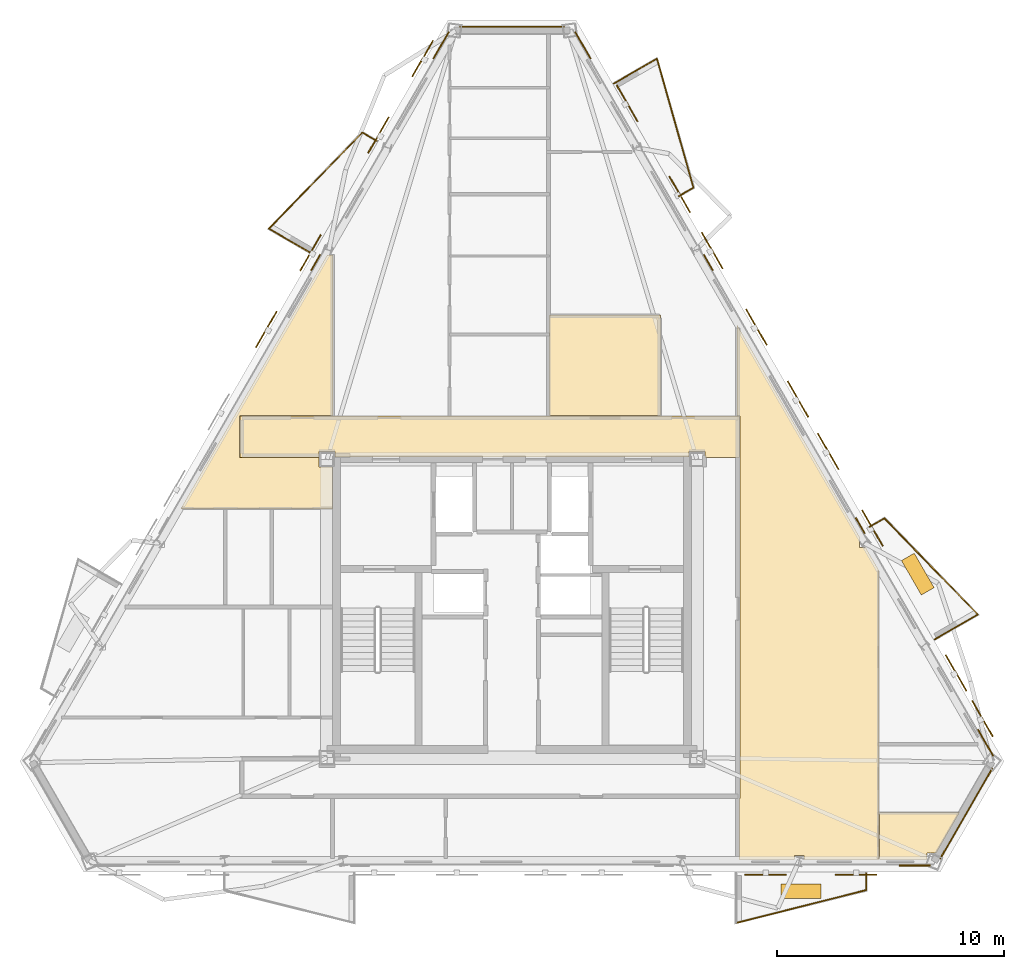
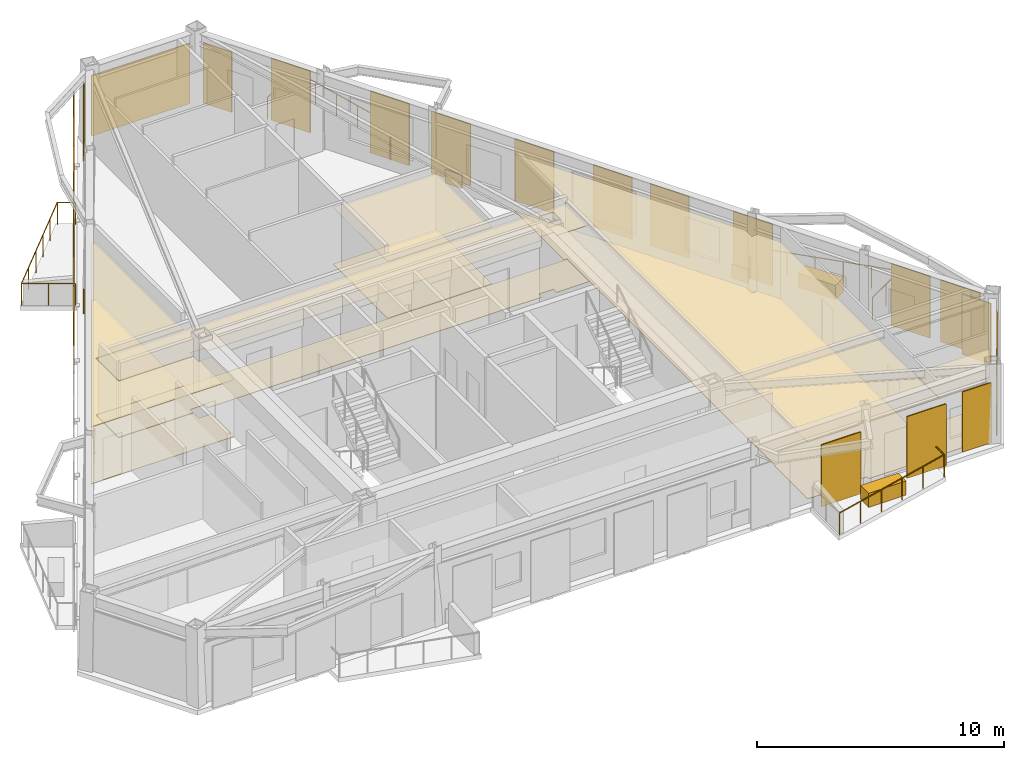
# One storey, part 9 of 9: 21 coverings, 15 shading devices, 11 railings.
"""IFC4 building model written with IfcOpenShell, lengths in metres."""

from ifc_helpers import new_model, si_unit, direction, frame, origin, origin_2d, place, context, subcontext, project, spatial, polyline, rectangle, circle, outline, extrude, material, layer, layer_set, type_object, element, save


model = new_model("IFC4")

# Units and contexts
model_context = context("Model", 3, precision=1e-05, world=origin(), true_north=direction((0.0, 1.0)))
body_context = subcontext(model_context, "Body", "Model", "MODEL_VIEW")
ifc_project = project(units=[si_unit("LENGTHUNIT", "METRE"), si_unit("AREAUNIT", "SQUARE_METRE"), si_unit("VOLUMEUNIT", "CUBIC_METRE"), si_unit("PLANEANGLEUNIT", "RADIAN"), si_unit("MASSUNIT", "GRAM", prefix="KILO")], contexts=[model_context])

# Site, building, storey
site_placement = place(None, origin())
site = spatial("IfcSite", under=ifc_project, at=site_placement, CompositionType="ELEMENT")
building_placement = place(site_placement, origin())
building = spatial("IfcBuilding", under=site, at=building_placement, Name="Oramaril Tower", CompositionType="ELEMENT")
storey_placement = place(building_placement, frame((0.0, 0.0, 261.60009765625)))
storey = spatial("IfcBuildingStorey", under=building, at=storey_placement, Name="L69", CompositionType="ELEMENT", Elevation=261.60009765625)

# Coverings
ifc_material_1 = material(Name="Mineral Fibre Acoustic Ceiling")
ifc_layer_1 = layer(ifc_material_1, 0.02001953125)
ifc_layer_set_1 = layer_set([ifc_layer_1], Name="CVT-CEIL")
covering_type_1 = type_object("IfcCoveringType", Name="CVT-CEIL", PredefinedType="CEILING", material=ifc_layer_set_1)
covering_1_placement = place(storey_placement, frame((0.0, 0.0, 2.81201171875)))
element("IfcCovering", 1, at=covering_1_placement, inside=storey, type_object=covering_type_1, Name="L69 Acoustic Suspended Ceiling 2", PredefinedType="CEILING", context=body_context, shape_type="SweptSolid", body=[
    extrude(outline(polyline([(47.530029296875, 24.239990234375), (45.9951171875, 24.239990234375), (45.9951171875, 24.4951171875), (45.304931640625, 24.4951171875), (45.304931640625, 24.25), (29.695068359375, 24.25), (29.695068359375, 24.4951171875), (29.0048828125, 24.4951171875), (29.0048828125, 24.239990234375), (25.52001953125, 24.239990234375), (25.52001953125, 26.050048828125), (47.530029296875, 26.050048828125), (47.530029296875, 24.239990234375)])), origin(), (0.0, 0.0, 1.0), 0.019775390625),
])
covering_2_placement = place(storey_placement, frame((0.0, 0.0, 2.81201171875)))
element("IfcCovering", 2, at=covering_2_placement, inside=storey, type_object=covering_type_1, Name="L69 Acoustic Suspended Ceiling 4", PredefinedType="CEILING", context=body_context, shape_type="SweptSolid", body=[
    extrude(outline(polyline([(44.0419921875, 30.511962890625), (44.0419921875, 26.070068359375), (39.157958984375, 26.070068359375), (39.157958984375, 30.511962890625), (44.0419921875, 30.511962890625)])), origin(), (0.0, 0.0, 1.0), 0.019775390625),
])
covering_3_placement = place(storey_placement, frame((0.0, 0.0, 2.81201171875)))
element("IfcCovering", 3, at=covering_3_placement, inside=storey, type_object=covering_type_1, Name="L69 Acoustic Suspended Ceiling 11", PredefinedType="CEILING", context=body_context, shape_type="SweptSolid", body=[
    extrude(outline(polyline([(29.0048828125, 23.804931640625), (29.60009765625, 23.804931640625), (29.60009765625, 21.9580078125), (22.894775390625, 21.9580078125), (29.36083984375, 33.15771484375), (29.6220703125, 33.15771484375), (29.6220703125, 26.070068359375), (25.52001953125, 26.070068359375), (25.51806640625, 26.06982421875), (25.51611328125, 26.069580078125), (25.51416015625, 26.069091796875), (25.51220703125, 26.068603515625), (25.510498046875, 26.067626953125), (25.5087890625, 26.066650390625), (25.50732421875, 26.0654296875), (25.505859375, 26.064208984375), (25.50439453125, 26.062744140625), (25.50341796875, 26.06103515625), (25.50244140625, 26.059326171875), (25.50146484375, 26.0576171875), (25.5009765625, 26.055908203125), (25.50048828125, 26.053955078125), (25.5, 26.052001953125), (25.5, 26.050048828125), (25.5, 24.239990234375), (25.5, 24.238037109375), (25.50048828125, 24.236083984375), (25.5009765625, 24.234130859375), (25.50146484375, 24.232421875), (25.50244140625, 24.230712890625), (25.50341796875, 24.22900390625), (25.50439453125, 24.227294921875), (25.505859375, 24.225830078125), (25.50732421875, 24.224609375), (25.5087890625, 24.223388671875), (25.510498046875, 24.222412109375), (25.51220703125, 24.221435546875), (25.51416015625, 24.220947265625), (25.51611328125, 24.220458984375), (25.51806640625, 24.22021484375), (25.52001953125, 24.219970703125), (29.0048828125, 24.219970703125), (29.0048828125, 23.804931640625)])), origin(), (0.0, 0.0, 1.0), 0.019775390625),
])
covering_4_placement = place(storey_placement, frame((0.0, 0.0, 2.81201171875)))
element("IfcCovering", 4, at=covering_4_placement, inside=storey, type_object=covering_type_1, Name="L69 Acoustic Suspended Ceiling 15", PredefinedType="CEILING", context=body_context, shape_type="SweptSolid", body=[
    extrude(outline(polyline([(52.828125, 20.7060546875), (52.818115234375, 20.7060546875), (52.818115234375, 20.25439453125), (53.0888671875, 20.25439453125), (53.668212890625, 19.251220703125), (53.668212890625, 6.5224609375), (50.370849609375, 6.5224609375), (50.370849609375, 6.681396484375), (49.94140625, 6.681396484375), (49.94140625, 6.5224609375), (47.511962890625, 6.5224609375), (47.511962890625, 9.199951171875), (47.530029296875, 9.199951171875), (47.531982421875, 9.2001953125), (47.533935546875, 9.200439453125), (47.535888671875, 9.200927734375), (47.53759765625, 9.201416015625), (47.539306640625, 9.202392578125), (47.541015625, 9.203369140625), (47.542724609375, 9.20458984375), (47.544189453125, 9.205810546875), (47.54541015625, 9.207275390625), (47.546630859375, 9.208984375), (47.547607421875, 9.210693359375), (47.548583984375, 9.21240234375), (47.549072265625, 9.214111328125), (47.549560546875, 9.216064453125), (47.5498046875, 9.218017578125), (47.550048828125, 9.219970703125), (47.550048828125, 11.030029296875), (47.5498046875, 11.031982421875), (47.549560546875, 11.033935546875), (47.549072265625, 11.035888671875), (47.548583984375, 11.03759765625), (47.547607421875, 11.039306640625), (47.54736328125, 11.0400390625), (47.547607421875, 11.04052734375), (47.548583984375, 11.042236328125), (47.549072265625, 11.044189453125), (47.549560546875, 11.046142578125), (47.5498046875, 11.048095703125), (47.550048828125, 11.050048828125), (47.550048828125, 24.219970703125), (47.5498046875, 24.221923828125), (47.549560546875, 24.223876953125), (47.549072265625, 24.225830078125), (47.548583984375, 24.227783203125), (47.547607421875, 24.2294921875), (47.54736328125, 24.22998046875), (47.547607421875, 24.230712890625), (47.548583984375, 24.232421875), (47.549072265625, 24.234130859375), (47.549560546875, 24.236083984375), (47.5498046875, 24.238037109375), (47.550048828125, 24.239990234375), (47.550048828125, 26.050048828125), (47.5498046875, 26.052001953125), (47.549560546875, 26.053955078125), (47.549072265625, 26.055908203125), (47.548583984375, 26.0576171875), (47.547607421875, 26.059326171875), (47.546630859375, 26.06103515625), (47.54541015625, 26.062744140625), (47.544189453125, 26.064208984375), (47.542724609375, 26.0654296875), (47.541015625, 26.066650390625), (47.539306640625, 26.067626953125), (47.53759765625, 26.068603515625), (47.535888671875, 26.069091796875), (47.533935546875, 26.069580078125), (47.531982421875, 26.06982421875), (47.530029296875, 26.070068359375), (47.407958984375, 26.070068359375), (47.407958984375, 30.093994140625), (52.828125, 20.7060546875)])), origin(), (0.0, 0.0, 1.0), 0.019775390625),
])
covering_5_placement = place(storey_placement, frame((0.0, 0.0, 2.81201171875)))
element("IfcCovering", 5, at=covering_5_placement, inside=storey, type_object=covering_type_1, Name="L69 Acoustic Suspended Ceiling 16", PredefinedType="CEILING", context=body_context, shape_type="SweptSolid", body=[
    extrude(outline(polyline([(56.195068359375, 6.794921875), (55.780029296875, 6.794921875), (55.780029296875, 6.5224609375), (53.68798828125, 6.5224609375), (53.68798828125, 8.593994140625), (57.233642578125, 8.593994140625), (56.195068359375, 6.794921875)])), origin(), (0.0, 0.0, 1.0), 0.019775390625),
])
ifc_material_2 = material(Name="Warm Cream Limestone", Category="masonry")
ifc_layer_2 = layer(ifc_material_2, 0.050048828125)
ifc_layer_set_2 = layer_set([ifc_layer_2], Name="CVT-CLD")
covering_type_2 = type_object("IfcCoveringType", Name="CVT-CLD", PredefinedType="CLADDING", material=ifc_layer_set_2)
covering_6_placement = place(storey_placement, frame((55.25, 6.246337890625, 0.039794921875), z_axis=(0.0, 0.0, 1.0), x_axis=(1.0, 0.0, 0.0)))
element("IfcCovering", 6, at=covering_6_placement, inside=storey, type_object=covering_type_2, Name="L69 Warm Cream Limestone Cladding", PredefinedType="CLADDING", context=body_context, shape_type="SweptSolid", body=[
    extrude(rectangle(XDim=1.35009765625, YDim=0.050048828125, at=origin_2d()), origin(), (0.0, 0.0, 1.0), 2.97802734375),
])
covering_7_placement = place(storey_placement, frame((57.521484375, 8.54052734375, 0.039794921875), z_axis=(0.0, 0.0, 1.0), x_axis=(0.499990930976, 0.866030639725, 0.0)))
element("IfcCovering", 7, at=covering_7_placement, inside=storey, type_object=covering_type_2, Name="L69 Warm Cream Limestone Cladding", PredefinedType="CLADDING", context=body_context, shape_type="SweptSolid", body=[
    extrude(rectangle(XDim=4.60400390625, YDim=0.050048828125, at=origin_2d()), origin(), (0.0, 0.0, 1.0), 2.97802734375),
])
for number, where, z_axis, x_axis, name in (
    (8, (58.37255859375, 11.65478515625, 0.039794921875), (0.0, 0.0, 1.0), (-0.5, 0.866025403784, 0.0), "L69 Warm Cream Limestone Cladding"),
    (9, (40.62255859375, 42.398681640625, 0.039794921875), (0.0, 0.0, 1.0), (-0.5, 0.866025403784, 0.0), "L69 Warm Cream Limestone Cladding"),
):
    element("IfcCovering", number, at=place(storey_placement, frame(where, z_axis=z_axis, x_axis=x_axis)), inside=storey, type_object=covering_type_2, Name=name, PredefinedType="CLADDING", context=body_context, shape_type="SweptSolid", body=[
        extrude(rectangle(XDim=1.35009765625, YDim=0.050048828125, at=origin_2d()), origin(), (0.0, 0.0, 1.0), 2.97802734375),
    ])
for number, where, z_axis, x_axis, name in (
    (10, (52.845458984375, 21.227783203125, 0.0400390625), (0.0, 0.0, 1.0), (-0.5, 0.866025403784, 0.0), "L69 Warm Cream Limestone Spandrel Cladding"),
    (11, (46.1494140625, 32.82568359375, 0.0400390625), (0.0, 0.0, 1.0), (-0.5, 0.866025403784, 0.0), "L69 Warm Cream Limestone Spandrel Cladding"),
):
    element("IfcCovering", number, at=place(storey_placement, frame(where, z_axis=z_axis, x_axis=x_axis)), inside=storey, type_object=covering_type_2, Name=name, PredefinedType="CLADDING", context=body_context, shape_type="SweptSolid", body=[
        extrude(rectangle(XDim=0.800048828125, YDim=0.050048828125, at=origin_2d()), origin(), (0.0, 0.0, 1.0), 0.679931640625),
    ])
covering_8_placement = place(storey_placement, frame((37.5, 43.218994140625, 0.039794921875), z_axis=(0.0, 0.0, 1.0), x_axis=(-1.0, 0.0, 0.0)))
element("IfcCovering", 12, at=covering_8_placement, inside=storey, type_object=covering_type_2, Name="L69 Warm Cream Limestone Cladding", PredefinedType="CLADDING", context=body_context, shape_type="SweptSolid", body=[
    extrude(rectangle(XDim=4.60400390625, YDim=0.050048828125, at=origin_2d()), origin(), (0.0, 0.0, 1.0), 2.97802734375),
])
covering_9_placement = place(storey_placement, frame((34.37744140625, 42.398681640625, 0.039794921875), z_axis=(0.0, 0.0, 1.0), x_axis=(-0.5, -0.866025403784, 0.0)))
element("IfcCovering", 13, at=covering_9_placement, inside=storey, type_object=covering_type_2, Name="L69 Warm Cream Limestone Cladding", PredefinedType="CLADDING", context=body_context, shape_type="SweptSolid", body=[
    extrude(rectangle(XDim=1.35009765625, YDim=0.050048828125, at=origin_2d()), origin(), (0.0, 0.0, 1.0), 2.97802734375),
])
covering_10_placement = place(storey_placement, frame((28.8505859375, 32.82568359375, 0.0400390625), z_axis=(0.0, 0.0, 1.0), x_axis=(-0.5, -0.866025403784, 0.0)))
element("IfcCovering", 14, at=covering_10_placement, inside=storey, type_object=covering_type_2, Name="L69 Warm Cream Limestone Spandrel Cladding", PredefinedType="CLADDING", context=body_context, shape_type="SweptSolid", body=[
    extrude(rectangle(XDim=0.800048828125, YDim=0.050048828125, at=origin_2d()), origin(), (0.0, 0.0, 1.0), 0.679931640625),
])
for number, where, z_axis, x_axis, name in (
    (15, (50.240478515625, 5.117919921875, 0.0), (0.0, 0.0, 1.0), (1.0, 0.0, 0.0), "L69 Structural Tree Planter Box L69-BAL-S2"),
    (16, (55.3828125, 19.090576171875, 0.0), (0.0, 0.0, 1.0), (-0.5, 0.866025403784, 0.0), "L69 Structural Tree Planter Box L69-BAL-NE1"),
):
    element("IfcCovering", number, at=place(storey_placement, frame(where, z_axis=z_axis, x_axis=x_axis)), inside=storey, type_object=covering_type_2, Name=name, PredefinedType="CLADDING", context=body_context, shape_type="SweptSolid", body=[
        extrude(rectangle(XDim=1.75, YDim=0.64990234375, at=origin_2d()), origin(), (0.0, 0.0, 1.0), 0.699951171875),
    ])
ifc_material_3 = material(Name="Honed Quartzite Stone Flooring", Category="masonry")
ifc_layer_3 = layer(ifc_material_3, 0.02490234375)
ifc_layer_set_3 = layer_set([ifc_layer_3], Name="CVT-FLR")
covering_type_3 = type_object("IfcCoveringType", Name="CVT-FLR", PredefinedType="FLOORING", material=ifc_layer_set_3)
covering_11_placement = place(storey_placement, origin())
element("IfcCovering", 17, at=covering_11_placement, inside=storey, type_object=covering_type_3, Name="L69 Honed Stone Floor Finish 2", PredefinedType="FLOORING", context=body_context, shape_type="SweptSolid", body=[
    extrude(outline(polyline([(47.530029296875, 24.239990234375), (45.9951171875, 24.239990234375), (45.9951171875, 24.4951171875), (45.304931640625, 24.4951171875), (45.304931640625, 24.25), (29.695068359375, 24.25), (29.695068359375, 24.4951171875), (29.0048828125, 24.4951171875), (29.0048828125, 24.239990234375), (25.52001953125, 24.239990234375), (25.52001953125, 26.050048828125), (47.530029296875, 26.050048828125), (47.530029296875, 24.239990234375)])), origin(), (0.0, 0.0, 1.0), 0.02490234375),
])
covering_12_placement = place(storey_placement, origin())
element("IfcCovering", 18, at=covering_12_placement, inside=storey, type_object=covering_type_3, Name="L69 Honed Stone Floor Finish 4", PredefinedType="FLOORING", context=body_context, shape_type="SweptSolid", body=[
    extrude(outline(polyline([(44.0419921875, 30.511962890625), (44.0419921875, 26.070068359375), (39.157958984375, 26.070068359375), (39.157958984375, 30.511962890625), (44.0419921875, 30.511962890625)])), origin(), (0.0, 0.0, 1.0), 0.02490234375),
])
covering_13_placement = place(storey_placement, origin())
element("IfcCovering", 19, at=covering_13_placement, inside=storey, type_object=covering_type_3, Name="L69 Honed Stone Floor Finish 11", PredefinedType="FLOORING", context=body_context, shape_type="SweptSolid", body=[
    extrude(outline(polyline([(29.0048828125, 23.804931640625), (29.60009765625, 23.804931640625), (29.60009765625, 21.9580078125), (22.894775390625, 21.9580078125), (29.36083984375, 33.15771484375), (29.6220703125, 33.15771484375), (29.6220703125, 26.070068359375), (25.52001953125, 26.070068359375), (25.51806640625, 26.06982421875), (25.51611328125, 26.069580078125), (25.51416015625, 26.069091796875), (25.51220703125, 26.068603515625), (25.510498046875, 26.067626953125), (25.5087890625, 26.066650390625), (25.50732421875, 26.0654296875), (25.505859375, 26.064208984375), (25.50439453125, 26.062744140625), (25.50341796875, 26.06103515625), (25.50244140625, 26.059326171875), (25.50146484375, 26.0576171875), (25.5009765625, 26.055908203125), (25.50048828125, 26.053955078125), (25.5, 26.052001953125), (25.5, 26.050048828125), (25.5, 24.239990234375), (25.5, 24.238037109375), (25.50048828125, 24.236083984375), (25.5009765625, 24.234130859375), (25.50146484375, 24.232421875), (25.50244140625, 24.230712890625), (25.50341796875, 24.22900390625), (25.50439453125, 24.227294921875), (25.505859375, 24.225830078125), (25.50732421875, 24.224609375), (25.5087890625, 24.223388671875), (25.510498046875, 24.222412109375), (25.51220703125, 24.221435546875), (25.51416015625, 24.220947265625), (25.51611328125, 24.220458984375), (25.51806640625, 24.22021484375), (25.52001953125, 24.219970703125), (29.0048828125, 24.219970703125), (29.0048828125, 23.804931640625)])), origin(), (0.0, 0.0, 1.0), 0.02490234375),
])
covering_14_placement = place(storey_placement, origin())
element("IfcCovering", 20, at=covering_14_placement, inside=storey, type_object=covering_type_3, Name="L69 Honed Stone Floor Finish 15", PredefinedType="FLOORING", context=body_context, shape_type="SweptSolid", body=[
    extrude(outline(polyline([(52.828125, 20.7060546875), (52.818115234375, 20.7060546875), (52.818115234375, 20.25439453125), (53.0888671875, 20.25439453125), (53.668212890625, 19.251220703125), (53.668212890625, 6.5224609375), (50.370849609375, 6.5224609375), (50.370849609375, 6.681396484375), (49.94140625, 6.681396484375), (49.94140625, 6.5224609375), (47.511962890625, 6.5224609375), (47.511962890625, 9.199951171875), (47.530029296875, 9.199951171875), (47.531982421875, 9.2001953125), (47.533935546875, 9.200439453125), (47.535888671875, 9.200927734375), (47.53759765625, 9.201416015625), (47.539306640625, 9.202392578125), (47.541015625, 9.203369140625), (47.542724609375, 9.20458984375), (47.544189453125, 9.205810546875), (47.54541015625, 9.207275390625), (47.546630859375, 9.208984375), (47.547607421875, 9.210693359375), (47.548583984375, 9.21240234375), (47.549072265625, 9.214111328125), (47.549560546875, 9.216064453125), (47.5498046875, 9.218017578125), (47.550048828125, 9.219970703125), (47.550048828125, 11.030029296875), (47.5498046875, 11.031982421875), (47.549560546875, 11.033935546875), (47.549072265625, 11.035888671875), (47.548583984375, 11.03759765625), (47.547607421875, 11.039306640625), (47.54736328125, 11.0400390625), (47.547607421875, 11.04052734375), (47.548583984375, 11.042236328125), (47.549072265625, 11.044189453125), (47.549560546875, 11.046142578125), (47.5498046875, 11.048095703125), (47.550048828125, 11.050048828125), (47.550048828125, 24.219970703125), (47.5498046875, 24.221923828125), (47.549560546875, 24.223876953125), (47.549072265625, 24.225830078125), (47.548583984375, 24.227783203125), (47.547607421875, 24.2294921875), (47.54736328125, 24.22998046875), (47.547607421875, 24.230712890625), (47.548583984375, 24.232421875), (47.549072265625, 24.234130859375), (47.549560546875, 24.236083984375), (47.5498046875, 24.238037109375), (47.550048828125, 24.239990234375), (47.550048828125, 26.050048828125), (47.5498046875, 26.052001953125), (47.549560546875, 26.053955078125), (47.549072265625, 26.055908203125), (47.548583984375, 26.0576171875), (47.547607421875, 26.059326171875), (47.546630859375, 26.06103515625), (47.54541015625, 26.062744140625), (47.544189453125, 26.064208984375), (47.542724609375, 26.0654296875), (47.541015625, 26.066650390625), (47.539306640625, 26.067626953125), (47.53759765625, 26.068603515625), (47.535888671875, 26.069091796875), (47.533935546875, 26.069580078125), (47.531982421875, 26.06982421875), (47.530029296875, 26.070068359375), (47.407958984375, 26.070068359375), (47.407958984375, 30.093994140625), (52.828125, 20.7060546875)])), origin(), (0.0, 0.0, 1.0), 0.02490234375),
])
covering_15_placement = place(storey_placement, origin())
element("IfcCovering", 21, at=covering_15_placement, inside=storey, type_object=covering_type_3, Name="L69 Honed Stone Floor Finish 16", PredefinedType="FLOORING", context=body_context, shape_type="SweptSolid", body=[
    extrude(outline(polyline([(56.195068359375, 6.794921875), (55.780029296875, 6.794921875), (55.780029296875, 6.5224609375), (53.68798828125, 6.5224609375), (53.68798828125, 8.593994140625), (57.233642578125, 8.593994140625), (56.195068359375, 6.794921875)])), origin(), (0.0, 0.0, 1.0), 0.02490234375),
])

# Railings
ifc_material_4 = material(Name="Stainless Steel 316L", Category="steel")
railing_type = type_object("IfcRailingType", Name="RLT-GRD", PredefinedType="GUARDRAIL", material=ifc_material_4)
railing_1_placement = place(storey_placement, frame((53.105712890625, 5.906494140625, 0.0)))
element("IfcRailing", 22, at=railing_1_placement, inside=storey, type_object=railing_type, Name="L69 Balcony Guardrail L69-BAL-S2.1", PredefinedType="GUARDRAIL", context=body_context, shape_type="SweptSolid", body=[
    extrude(circle(Radius=0.02392578125, at=origin_2d()), frame((0.0, 0.0, 1.076171875), z_axis=(0.0, -1.0, 0.0), x_axis=(1.0, 0.0, 0.0)), (0.0, 0.0, 1.0), 0.7421875),
    extrude(circle(Radius=0.02099609375, at=origin_2d()), origin(), (0.0, 0.0, 1.0), 1.052001953125),
    extrude(circle(Radius=0.02099609375, at=origin_2d()), frame((0.0, -0.7421875, 0.0)), (0.0, 0.0, 1.0), 1.052001953125),
])
railing_2_placement = place(storey_placement, frame((53.105712890625, 5.164306640625, 0.0)))
element("IfcRailing", 23, at=railing_2_placement, inside=storey, type_object=railing_type, Name="L69 Balcony Guardrail L69-BAL-S2.2", PredefinedType="GUARDRAIL", context=body_context, shape_type="SweptSolid", body=[
    extrude(circle(Radius=0.02392578125, at=origin_2d()), frame((0.0, 0.0, 1.076171875), z_axis=(-0.969446096844, -0.245304433946, 0.0), x_axis=(0.245304433946, -0.969446096844, 0.0)), (0.0, 0.0, 1.0), 5.910888671875),
    extrude(circle(Radius=0.02099609375, at=origin_2d()), origin(), (0.0, 0.0, 1.0), 1.052001953125),
    extrude(circle(Radius=0.02099609375, at=origin_2d()), frame((-1.14599609375, -0.2900390625, 0.0)), (0.0, 0.0, 1.0), 1.052001953125),
    extrude(circle(Radius=0.02099609375, at=origin_2d()), frame((-2.2919921875, -0.580078125, 0.0)), (0.0, 0.0, 1.0), 1.052001953125),
    extrude(circle(Radius=0.02099609375, at=origin_2d()), frame((-3.438232421875, -0.869873046875, 0.0)), (0.0, 0.0, 1.0), 1.052001953125),
    extrude(circle(Radius=0.02099609375, at=origin_2d()), frame((-4.584228515625, -1.159912109375, 0.0)), (0.0, 0.0, 1.0), 1.052001953125),
    extrude(circle(Radius=0.02099609375, at=origin_2d()), frame((-5.730224609375, -1.449951171875, 0.0)), (0.0, 0.0, 1.0), 1.052001953125),
])
railing_3_placement = place(storey_placement, frame((53.267333984375, 21.177490234375, 0.0)))
element("IfcRailing", 24, at=railing_3_placement, inside=storey, type_object=railing_type, Name="L69 Balcony Guardrail L69-BAL-NE1.1", PredefinedType="GUARDRAIL", context=body_context, shape_type="SweptSolid", body=[
    extrude(circle(Radius=0.02392578125, at=origin_2d()), frame((0.0, 0.0, 1.076171875), z_axis=(0.866108878364, 0.499855389907, 0.0), x_axis=(-0.499855389907, 0.866108878364, 0.0)), (0.0, 0.0, 1.0), 0.741943359375),
    extrude(circle(Radius=0.02099609375, at=origin_2d()), origin(), (0.0, 0.0, 1.0), 1.052001953125),
    extrude(circle(Radius=0.02099609375, at=origin_2d()), frame((0.642578125, 0.370849609375, 0.0)), (0.0, 0.0, 1.0), 1.052001953125),
])
railing_4_placement = place(storey_placement, frame((53.909912109375, 21.54833984375, 0.0)))
element("IfcRailing", 25, at=railing_4_placement, inside=storey, type_object=railing_type, Name="L69 Balcony Guardrail L69-BAL-NE1.2", PredefinedType="GUARDRAIL", context=body_context, shape_type="SweptSolid", body=[
    extrude(circle(Radius=0.02392578125, at=origin_2d()), frame((0.0, 0.0, 1.076171875), z_axis=(0.697165686546, -0.716910040034, 0.0), x_axis=(0.716910040034, 0.697165686546, 0.0)), (0.0, 0.0, 1.0), 5.910400390625),
    extrude(circle(Radius=0.02099609375, at=origin_2d()), origin(), (0.0, 0.0, 1.0), 1.052001953125),
    extrude(circle(Radius=0.02099609375, at=origin_2d()), frame((0.82421875, -0.847412109375, 0.0)), (0.0, 0.0, 1.0), 1.052001953125),
    extrude(circle(Radius=0.02099609375, at=origin_2d()), frame((1.648193359375, -1.69482421875, 0.0)), (0.0, 0.0, 1.0), 1.052001953125),
    extrude(circle(Radius=0.02099609375, at=origin_2d()), frame((2.472412109375, -2.54248046875, 0.0)), (0.0, 0.0, 1.0), 1.052001953125),
    extrude(circle(Radius=0.02099609375, at=origin_2d()), frame((3.29638671875, -3.389892578125, 0.0)), (0.0, 0.0, 1.0), 1.052001953125),
    extrude(circle(Radius=0.02099609375, at=origin_2d()), frame((4.12060546875, -4.2373046875, 0.0)), (0.0, 0.0, 1.0), 1.052001953125),
])
railing_5_placement = place(storey_placement, frame((58.030517578125, 17.31103515625, 0.0)))
element("IfcRailing", 26, at=railing_5_placement, inside=storey, type_object=railing_type, Name="L69 Balcony Guardrail L69-BAL-NE1.3", PredefinedType="GUARDRAIL", context=body_context, shape_type="SweptSolid", body=[
    extrude(circle(Radius=0.02392578125, at=origin_2d()), frame((0.0, 0.0, 1.076171875), z_axis=(-0.866020500697, -0.5000084923, 0.0), x_axis=(0.5000084923, -0.866020500697, 0.0)), (0.0, 0.0, 1.0), 2.19189453125),
    extrude(circle(Radius=0.02099609375, at=origin_2d()), origin(), (0.0, 0.0, 1.0), 1.052001953125),
    extrude(circle(Radius=0.02099609375, at=origin_2d()), frame((-0.94921875, -0.5478515625, 0.0)), (0.0, 0.0, 1.0), 1.052001953125),
    extrude(circle(Radius=0.02099609375, at=origin_2d()), frame((-1.898193359375, -1.095947265625, 0.0)), (0.0, 0.0, 1.0), 1.052001953125),
])
railing_6_placement = place(storey_placement, frame((41.9892578125, 40.711669921875, 0.0)))
element("IfcRailing", 27, at=railing_6_placement, inside=storey, type_object=railing_type, Name="L69 Balcony Guardrail L69-BAL-NE2.1", PredefinedType="GUARDRAIL", context=body_context, shape_type="SweptSolid", body=[
    extrude(circle(Radius=0.02392578125, at=origin_2d()), frame((0.0, 0.0, 1.076171875), z_axis=(0.866020500697, 0.5000084923, 0.0), x_axis=(-0.5000084923, 0.866020500697, 0.0)), (0.0, 0.0, 1.0), 2.19189453125),
    extrude(circle(Radius=0.02099609375, at=origin_2d()), origin(), (0.0, 0.0, 1.0), 1.052001953125),
    extrude(circle(Radius=0.02099609375, at=origin_2d()), frame((0.94921875, 0.5478515625, 0.0)), (0.0, 0.0, 1.0), 1.052001953125),
    extrude(circle(Radius=0.02099609375, at=origin_2d()), frame((1.898193359375, 1.095947265625, 0.0)), (0.0, 0.0, 1.0), 1.052001953125),
])
railing_7_placement = place(storey_placement, frame((43.887451171875, 41.8076171875, 0.0)))
element("IfcRailing", 28, at=railing_7_placement, inside=storey, type_object=railing_type, Name="L69 Balcony Guardrail L69-BAL-NE2.2", PredefinedType="GUARDRAIL", context=body_context, shape_type="SweptSolid", body=[
    extrude(circle(Radius=0.02392578125, at=origin_2d()), frame((0.0, 0.0, 1.076171875), z_axis=(0.27224886544, -0.962226873074, 0.0), x_axis=(0.962226873074, 0.27224886544, 0.0)), (0.0, 0.0, 1.0), 5.910400390625),
    extrude(circle(Radius=0.02099609375, at=origin_2d()), origin(), (0.0, 0.0, 1.0), 1.052001953125),
    extrude(circle(Radius=0.02099609375, at=origin_2d()), frame((0.32177734375, -1.137451171875, 0.0)), (0.0, 0.0, 1.0), 1.052001953125),
    extrude(circle(Radius=0.02099609375, at=origin_2d()), frame((0.6435546875, -2.27490234375, 0.0)), (0.0, 0.0, 1.0), 1.052001953125),
    extrude(circle(Radius=0.02099609375, at=origin_2d()), frame((0.965576171875, -3.412353515625, 0.0)), (0.0, 0.0, 1.0), 1.052001953125),
    extrude(circle(Radius=0.02099609375, at=origin_2d()), frame((1.287353515625, -4.5498046875, 0.0)), (0.0, 0.0, 1.0), 1.052001953125),
    extrude(circle(Radius=0.02099609375, at=origin_2d()), frame((1.609130859375, -5.687255859375, 0.0)), (0.0, 0.0, 1.0), 1.052001953125),
])
railing_8_placement = place(storey_placement, frame((45.49658203125, 36.120361328125, 0.0)))
element("IfcRailing", 29, at=railing_8_placement, inside=storey, type_object=railing_type, Name="L69 Balcony Guardrail L69-BAL-NE2.3", PredefinedType="GUARDRAIL", context=body_context, shape_type="SweptSolid", body=[
    extrude(circle(Radius=0.02392578125, at=origin_2d()), frame((0.0, 0.0, 1.076171875), z_axis=(-0.866026623601, -0.49999788721, 0.0), x_axis=(0.49999788721, -0.866026623601, 0.0)), (0.0, 0.0, 1.0), 0.74169921875),
    extrude(circle(Radius=0.02099609375, at=origin_2d()), origin(), (0.0, 0.0, 1.0), 1.052001953125),
    extrude(circle(Radius=0.02099609375, at=origin_2d()), frame((-0.642333984375, -0.370849609375, 0.0)), (0.0, 0.0, 1.0), 1.052001953125),
])
railing_9_placement = place(storey_placement, frame((28.683349609375, 33.21630859375, 0.0)))
element("IfcRailing", 30, at=railing_9_placement, inside=storey, type_object=railing_type, Name="L69 Balcony Guardrail L69-BAL-NW1.1", PredefinedType="GUARDRAIL", context=body_context, shape_type="SweptSolid", body=[
    extrude(circle(Radius=0.02392578125, at=origin_2d()), frame((0.0, 0.0, 1.076171875), z_axis=(-0.866048343933, 0.499960264392, 0.0), x_axis=(-0.499960264392, -0.866048343933, 0.0)), (0.0, 0.0, 1.0), 2.192138671875),
    extrude(circle(Radius=0.02099609375, at=origin_2d()), origin(), (0.0, 0.0, 1.0), 1.052001953125),
    extrude(circle(Radius=0.02099609375, at=origin_2d()), frame((-0.94921875, 0.5478515625, 0.0)), (0.0, 0.0, 1.0), 1.052001953125),
    extrude(circle(Radius=0.02099609375, at=origin_2d()), frame((-1.8984375, 1.095947265625, 0.0)), (0.0, 0.0, 1.0), 1.052001953125),
])
railing_10_placement = place(storey_placement, frame((26.784912109375, 34.312255859375, 0.0)))
element("IfcRailing", 31, at=railing_10_placement, inside=storey, type_object=railing_type, Name="L69 Balcony Guardrail L69-BAL-NW1.2", PredefinedType="GUARDRAIL", context=body_context, shape_type="SweptSolid", body=[
    extrude(circle(Radius=0.02392578125, at=origin_2d()), frame((0.0, 0.0, 1.076171875), z_axis=(0.697186915353, 0.716889395277, 0.0), x_axis=(-0.716889395277, 0.697186915353, 0.0)), (0.0, 0.0, 1.0), 5.91064453125),
    extrude(circle(Radius=0.02099609375, at=origin_2d()), origin(), (0.0, 0.0, 1.0), 1.052001953125),
    extrude(circle(Radius=0.02099609375, at=origin_2d()), frame((0.82421875, 0.847412109375, 0.0)), (0.0, 0.0, 1.0), 1.052001953125),
    extrude(circle(Radius=0.02099609375, at=origin_2d()), frame((1.6484375, 1.69482421875, 0.0)), (0.0, 0.0, 1.0), 1.052001953125),
    extrude(circle(Radius=0.02099609375, at=origin_2d()), frame((2.472412109375, 2.54248046875, 0.0)), (0.0, 0.0, 1.0), 1.052001953125),
    extrude(circle(Radius=0.02099609375, at=origin_2d()), frame((3.296630859375, 3.389892578125, 0.0)), (0.0, 0.0, 1.0), 1.052001953125),
    extrude(circle(Radius=0.02099609375, at=origin_2d()), frame((4.120849609375, 4.2373046875, 0.0)), (0.0, 0.0, 1.0), 1.052001953125),
])
railing_11_placement = place(storey_placement, frame((30.90576171875, 38.549560546875, 0.0)))
element("IfcRailing", 32, at=railing_11_placement, inside=storey, type_object=railing_type, Name="L69 Balcony Guardrail L69-BAL-NW1.3", PredefinedType="GUARDRAIL", context=body_context, shape_type="SweptSolid", body=[
    extrude(circle(Radius=0.02392578125, at=origin_2d()), frame((0.0, 0.0, 1.076171875), z_axis=(0.865966403178, -0.500102178127, 0.0), x_axis=(0.500102178127, 0.865966403178, 0.0)), (0.0, 0.0, 1.0), 0.741943359375),
    extrude(circle(Radius=0.02099609375, at=origin_2d()), origin(), (0.0, 0.0, 1.0), 1.052001953125),
    extrude(circle(Radius=0.02099609375, at=origin_2d()), frame((0.642578125, -0.37109375, 0.0)), (0.0, 0.0, 1.0), 1.052001953125),
])

# Shading devices
for number, where, z_axis, x_axis, name in (
    (33, (48.674072265625, 5.83447265625, -0.020263671875), (0.0, 0.0, 1.0), (1.0, 0.0, 0.0), "L69 Perforated Ceramic Solar Screen"),
    (34, (52.664794921875, 5.83447265625, -0.020263671875), (0.0, 0.0, 1.0), (1.0, 0.0, 0.0), "L69 Perforated Ceramic Solar Screen"),
    (35, (53.384765625, 21.117919921875, -0.020263671875), (0.0, 0.0, 1.0), (-0.5, 0.866025403784, 0.0), "L69 Perforated Ceramic Solar Screen"),
    (36, (51.434814453125, 24.495361328125, -0.020263671875), (0.0, 0.0, 1.0), (-0.5, 0.866025403784, 0.0), "L69 Perforated Ceramic Solar Screen"),
    (37, (50.104736328125, 26.798828125, -0.020263671875), (0.0, 0.0, 1.0), (-0.5, 0.866025403784, 0.0), "L69 Perforated Ceramic Solar Screen"),
    (38, (58.234130859375, 12.718505859375, -0.020263671875), (0.0, 0.0, 1.0), (-0.5, 0.866025403784, 0.0), "L69 Perforated Ceramic Solar Screen"),
    (39, (57.0712890625, 14.732421875, -0.020263671875), (0.0, 0.0, 1.0), (-0.5, 0.866025403784, 0.0), "L69 Perforated Ceramic Solar Screen"),
    (40, (48.27099609375, 29.975341796875, -0.020263671875), (0.0, 0.0, 1.0), (-0.5, 0.866025403784, 0.0), "L69 Perforated Ceramic Solar Screen"),
    (41, (46.32080078125, 33.352783203125, -0.020263671875), (0.0, 0.0, 1.0), (-0.5, 0.866025403784, 0.0), "L69 Perforated Ceramic Solar Screen"),
    (42, (44.891845703125, 35.827880859375, -0.020263671875), (0.0, 0.0, 1.0), (-0.5, 0.866025403784, 0.0), "L69 Perforated Ceramic Solar Screen"),
    (43, (42.5751953125, 39.840576171875, -0.020263671875), (0.0, 0.0, 1.0), (-0.5, 0.866025403784, 0.0), "L69 Perforated Ceramic Solar Screen"),
    (44, (28.6220703125, 33.254150390625, -0.020263671875), (0.0, 0.0, 1.0), (-0.5, -0.866025403784, 0.0), "L69 Perforated Ceramic Solar Screen"),
    (45, (26.672119140625, 29.876708984375, -0.020263671875), (0.0, 0.0, 1.0), (-0.5, -0.866025403784, 0.0), "L69 Perforated Ceramic Solar Screen"),
    (46, (33.563232421875, 41.8125, -0.020263671875), (0.0, 0.0, 1.0), (-0.5, -0.866025403784, 0.0), "L69 Perforated Ceramic Solar Screen"),
    (47, (31.61328125, 38.434814453125, -0.020263671875), (0.0, 0.0, 1.0), (-0.5, -0.866025403784, 0.0), "L69 Perforated Ceramic Solar Screen"),
):
    element("IfcShadingDevice", number, at=place(storey_placement, frame(where, z_axis=z_axis, x_axis=x_axis)), inside=storey, Name=name, ObjectType="SCREEN", PredefinedType="USERDEFINED", context=body_context, shape_type="SweptSolid", body=[
        extrude(rectangle(XDim=1.8330078125, YDim=0.050048828125, at=origin_2d()), origin(), (0.0, 0.0, 1.0), 3.05810546875),
    ])

save(model, "model.ifc")
